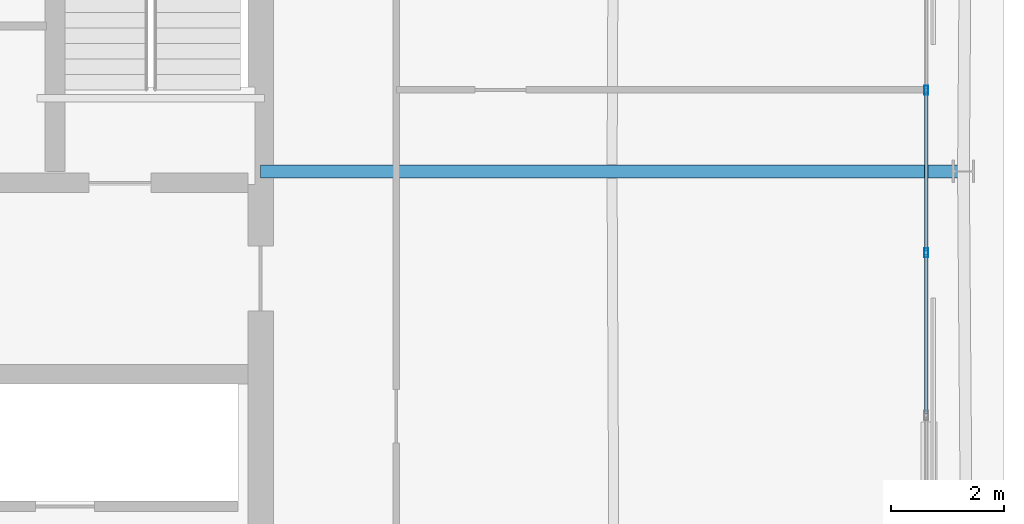
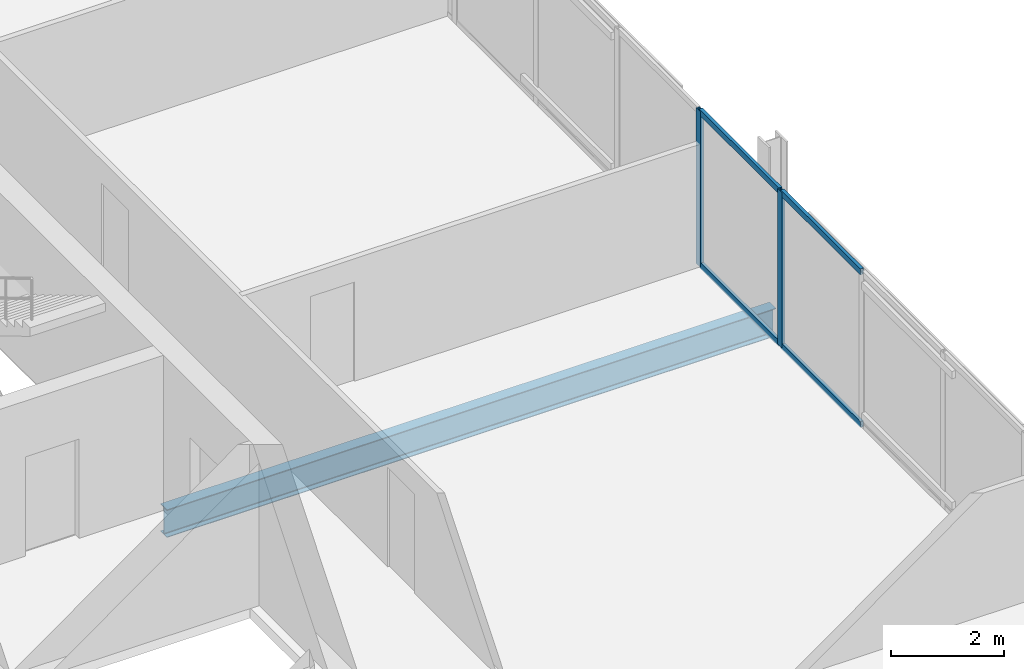
# One storey, part 22 of 39: 6 members, 1 beam, 1 element without a shape of its own.
"""IFC4 building model written with IfcOpenShell, lengths in metres."""

from ifc_helpers import new_model, si_unit, direction, frame, origin, origin_2d, place, context, subcontext, project, spatial, hollow_rectangle, i_section, extrude, material, layer, layer_set, material_profile, profile_set, type_object, element, aggregate, save


model = new_model("IFC4")

# Units and contexts
model_context = context("Model", 3, precision=1e-05, world=origin(), true_north=direction((0.0, 1.0)))
body_context = subcontext(model_context, "Body", "Model", "MODEL_VIEW")
ifc_project = project(units=[si_unit("LENGTHUNIT", "METRE"), si_unit("AREAUNIT", "SQUARE_METRE"), si_unit("VOLUMEUNIT", "CUBIC_METRE"), si_unit("PLANEANGLEUNIT", "RADIAN"), si_unit("MASSUNIT", "GRAM", prefix="KILO")], contexts=[model_context])

# Site, building, storey
site_placement = place(None, origin())
site = spatial("IfcSite", under=ifc_project, at=site_placement, CompositionType="ELEMENT")
building_placement = place(site_placement, origin())
building = spatial("IfcBuilding", under=site, at=building_placement, Name="Caelvoria Tower", CompositionType="ELEMENT")
storey_placement = place(building_placement, frame((0.0, 0.0, 198.60009765625)))
storey = spatial("IfcBuildingStorey", under=building, at=storey_placement, Name="L52", CompositionType="ELEMENT", Elevation=198.60009765625)

# Curtain wall, members
ifc_material_1 = material(Name="Anodised Bronze Aluminium and Low-E Glass", Category="aluminium")
ifc_layer = layer(ifc_material_1, 0.175048828125, Name="Anodised Bronze Aluminium and Low-E Glass")
ifc_layer_set = layer_set([ifc_layer], Name="CW System 4 High-Zone Tapered Crystal Facade - Anodised Bronze Aluminium and Low-E Glass")
curtain_wall_type = type_object("IfcCurtainWallType", Name="CW System 4 High-Zone Tapered Crystal Facade", PredefinedType="NOTDEFINED", material=ifc_layer_set)
curtain_wall_placement = place(storey_placement, origin())
curtain_wall = element("IfcCurtainWall", 1, at=curtain_wall_placement, inside=storey, type_object=curtain_wall_type, Name="CW-04 Curtain Wall L52-E2", PredefinedType="NOTDEFINED")
ifc_material_2 = material(Name="Anodised Bronze Architectural Aluminium", Category="aluminium")
ifc_material_profile_1 = material_profile(ifc_material_2, hollow_rectangle(XDim=0.06494140625, YDim=0.159912109375, WallThickness=0.00390625, at=origin_2d()), Name="Anodised Bronze Architectural Aluminium")
ifc_profile_set_1 = profile_set([ifc_material_profile_1], Name="CW_MULL_65X160 - Anodised Bronze Architectural Aluminium")
member_type_1 = type_object("IfcMemberType", Name="Curtain Wall Mullion 65x160 Bronze Aluminium", PredefinedType="MULLION", material=ifc_profile_set_1)
member_1_placement = place(storey_placement, frame((66.820068359375, 30.5556640625, 0.0), z_axis=(0.0, 0.0, 1.0), x_axis=(-1.0, 0.0, 0.0)))
member_1 = element("IfcMember", 2, at=member_1_placement, type_object=member_type_1, Name="CW-04 mullion 5", PredefinedType="MULLION", context=body_context, shape_type="SweptSolid", body=[
    extrude(hollow_rectangle(XDim=0.06494140625, YDim=0.159912109375, WallThickness=0.00390625, at=origin_2d()), origin(), (0.0, 0.0, 1.0), 3.375),
])
member_2_placement = place(storey_placement, frame((66.820068359375, 33.4443359375, 0.0), z_axis=(0.0, 0.0, 1.0), x_axis=(-1.0, 0.0, 0.0)))
member_2 = element("IfcMember", 3, at=member_2_placement, type_object=member_type_1, Name="CW-04 mullion 6", PredefinedType="MULLION", context=body_context, shape_type="SweptSolid", body=[
    extrude(hollow_rectangle(XDim=0.06494140625, YDim=0.159912109375, WallThickness=0.00390625, at=origin_2d()), origin(), (0.0, 0.0, 1.0), 3.375),
])
ifc_material_profile_2 = material_profile(ifc_material_2, hollow_rectangle(XDim=0.06494140625, YDim=0.1298828125, WallThickness=0.00341796875, at=origin_2d()), Name="Anodised Bronze Architectural Aluminium")
ifc_profile_set_2 = profile_set([ifc_material_profile_2], Name="CW_TRAN_65X130 - Anodised Bronze Architectural Aluminium")
member_type_2 = type_object("IfcMemberType", Name="Curtain Wall Transom 65x130 Bronze Aluminium", PredefinedType="USERDEFINED", material=ifc_profile_set_2)
member_3_placement = place(storey_placement, frame((66.820068359375, 27.69921875, 0.032470703125), z_axis=(0.0, 1.0, 0.0), x_axis=(-1.0, 0.0, 0.0)))
member_3 = element("IfcMember", 4, at=member_3_placement, type_object=member_type_2, Name="CW-04 transom 4.1", ObjectType="TRANSOM", PredefinedType="USERDEFINED", context=body_context, shape_type="SweptSolid", body=[
    extrude(hollow_rectangle(XDim=0.06494140625, YDim=0.1298828125, WallThickness=0.00341796875, at=origin_2d()), origin(), (0.0, 0.0, 1.0), 2.82373046875),
])
member_4_placement = place(storey_placement, frame((66.820068359375, 27.69921875, 3.34228515625), z_axis=(0.0, 1.0, 0.0), x_axis=(-1.0, 0.0, 0.0)))
member_4 = element("IfcMember", 5, at=member_4_placement, type_object=member_type_2, Name="CW-04 transom 4.2", ObjectType="TRANSOM", PredefinedType="USERDEFINED", context=body_context, shape_type="SweptSolid", body=[
    extrude(hollow_rectangle(XDim=0.06494140625, YDim=0.1298828125, WallThickness=0.00341796875, at=origin_2d()), origin(), (0.0, 0.0, 1.0), 2.82373046875),
])
member_5_placement = place(storey_placement, frame((66.820068359375, 30.588134765625, 0.032470703125), z_axis=(0.0, 1.0, 0.0), x_axis=(-1.0, 0.0, 0.0)))
member_5 = element("IfcMember", 6, at=member_5_placement, type_object=member_type_2, Name="CW-04 transom 5.1", ObjectType="TRANSOM", PredefinedType="USERDEFINED", context=body_context, shape_type="SweptSolid", body=[
    extrude(hollow_rectangle(XDim=0.06494140625, YDim=0.1298828125, WallThickness=0.00341796875, at=origin_2d()), origin(), (0.0, 0.0, 1.0), 2.82373046875),
])
member_6_placement = place(storey_placement, frame((66.820068359375, 30.588134765625, 3.34228515625), z_axis=(0.0, 1.0, 0.0), x_axis=(-1.0, 0.0, 0.0)))
member_6 = element("IfcMember", 7, at=member_6_placement, type_object=member_type_2, Name="CW-04 transom 5.2", ObjectType="TRANSOM", PredefinedType="USERDEFINED", context=body_context, shape_type="SweptSolid", body=[
    extrude(hollow_rectangle(XDim=0.06494140625, YDim=0.1298828125, WallThickness=0.00341796875, at=origin_2d()), origin(), (0.0, 0.0, 1.0), 2.82373046875),
])
aggregate(curtain_wall, [member_1, member_2, member_3, member_4, member_5, member_6])

# Beam
ifc_material_3 = material(Name="Structural Steel ASTM A992 Gr.50", Category="steel")
ifc_material_profile_3 = material_profile(ifc_material_3, i_section(OverallWidth=0.22802734375, OverallDepth=0.60302734375, WebThickness=0.010498046875, FlangeThickness=0.014892578125, FilletRadius=0.01806640625, at=origin_2d()), Name="Structural Steel ASTM A992 Gr.50")
ifc_profile_set_3 = profile_set([ifc_material_profile_3], Name="W610X101 - Structural Steel ASTM A992 Gr.50")
beam_type = type_object("IfcBeamType", Name="Primary Floor Girder W610X101", PredefinedType="BEAM", material=ifc_profile_set_3)
beam_placement = place(storey_placement, frame((55.0, 32.0, -0.526611328125), z_axis=(1.0, 0.0, 0.0), x_axis=(0.0, 1.0, 0.0)))
element("IfcBeam", 8, at=beam_placement, inside=storey, type_object=beam_type, Name="Primary Floor Girder L52-04", PredefinedType="BEAM", context=body_context, shape_type="SweptSolid", body=[
    extrude(i_section(OverallWidth=0.22802734375, OverallDepth=0.60302734375, WebThickness=0.010498046875, FlangeThickness=0.014892578125, FilletRadius=0.01806640625, at=origin_2d()), origin(), (0.0, 0.0, 1.0), 12.47998046875),
])

save(model, "model.ifc")
